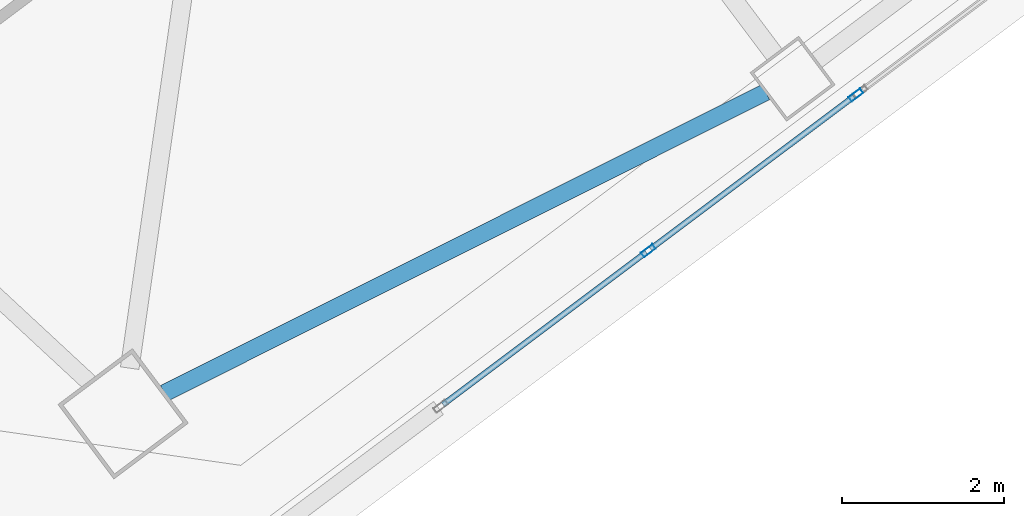
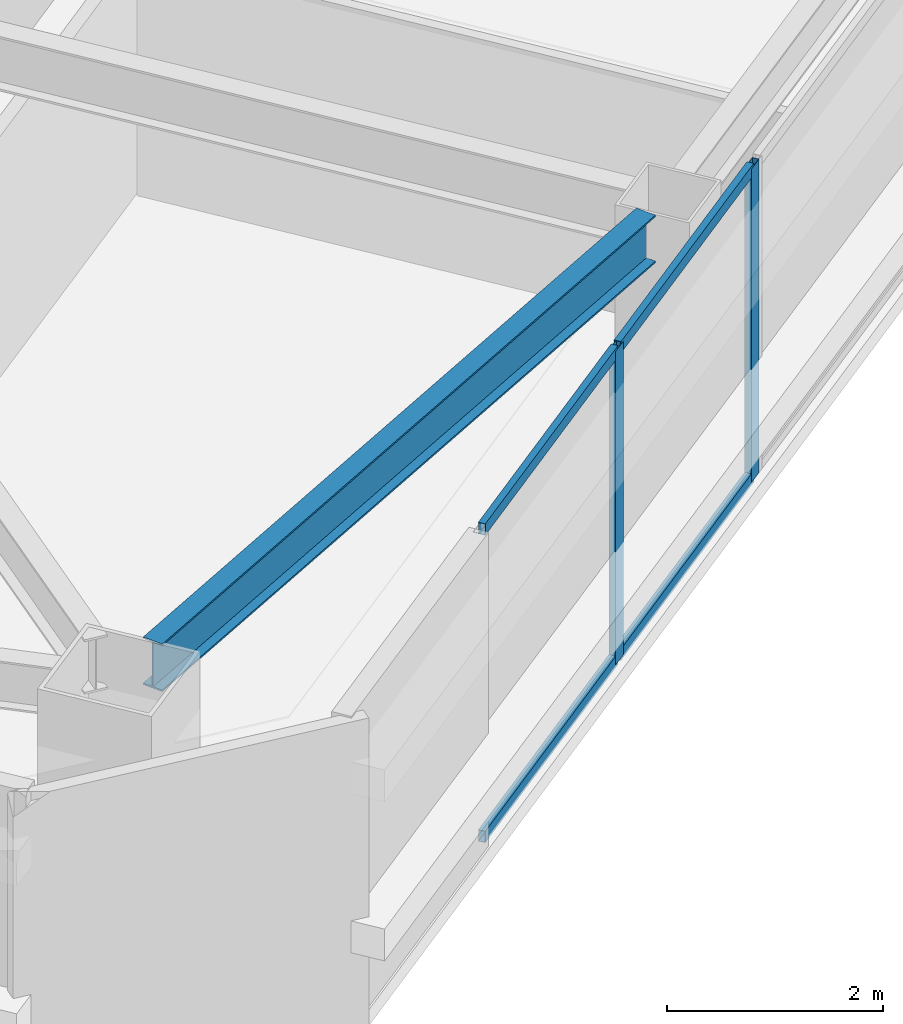
# One storey, part 19 of 43: 6 members, 1 beam, 1 element without a shape of its own.
"""IFC4 building model written with IfcOpenShell, lengths in metres."""

from ifc_helpers import new_model, si_unit, direction, frame, origin, origin_2d, place, context, subcontext, project, spatial, hollow_rectangle, i_section, extrude, material, material_profile, profile_set, type_object, element, aggregate, save


model = new_model("IFC4")

# Units and contexts
model_context = context("Model", 3, precision=1e-05, world=origin(), true_north=direction((0.0, 1.0)))
body_context = subcontext(model_context, "Body", "Model", "MODEL_VIEW")
ifc_project = project(units=[si_unit("LENGTHUNIT", "METRE"), si_unit("AREAUNIT", "SQUARE_METRE"), si_unit("VOLUMEUNIT", "CUBIC_METRE"), si_unit("PLANEANGLEUNIT", "RADIAN"), si_unit("MASSUNIT", "GRAM", prefix="KILO")], contexts=[model_context])

# Site, building, storey
site_placement = place(None, origin())
site = spatial("IfcSite", under=ifc_project, at=site_placement, CompositionType="ELEMENT")
building_placement = place(site_placement, origin())
building = spatial("IfcBuilding", under=site, at=building_placement, Name="Tashvorn Skyway Center", CompositionType="ELEMENT")
storey_placement = place(building_placement, frame((0.0, 0.0, 160.550048828125)))
storey = spatial("IfcBuildingStorey", under=building, at=storey_placement, Name="L43", CompositionType="ELEMENT", Elevation=160.550048828125)

# Beam
ifc_material_1 = material(Name="Steel ASTM A992 Grade 50", Category="steel")
ifc_material_profile_1 = material_profile(ifc_material_1, i_section(OverallWidth=0.2109375, OverallDepth=0.5390625, WebThickness=0.01171875, FlangeThickness=0.018798828125, at=origin_2d()), Name="W21X73")
ifc_profile_set_1 = profile_set([ifc_material_profile_1], Name="Steel ASTM A992 Grade 50")
beam_type = type_object("IfcBeamType", Name="BM-SPANDREL-W21X73", PredefinedType="SPANDREL", material=ifc_profile_set_1)
beam_placement = place(storey_placement, frame((111.609619140625, 11.955078125, 3.100341796875), z_axis=(0.894209637559, 0.447648438059, 0.0), x_axis=(-0.447648438059, 0.894209637559, 0.0)))
element("IfcBeam", 1, at=beam_placement, inside=storey, type_object=beam_type, Name="Tower 2 L43 Spandrel Beam 01", PredefinedType="SPANDREL", context=body_context, shape_type="SweptSolid", body=[
    extrude(i_section(OverallWidth=0.2109375, OverallDepth=0.5390625, WebThickness=0.01171875, FlangeThickness=0.018798828125, at=origin_2d()), origin(), (0.0, 0.0, 1.0), 8.308349609375),
])

# Curtain wall, members
ifc_material_2 = material(Name="Thermally broken bronze-anodized aluminium 6063-T6", Category="aluminium")
curtain_wall_type = type_object("IfcCurtainWallType", Name="CW-CW-Z4", PredefinedType="NOTDEFINED", material=ifc_material_2)
curtain_wall_placement = place(storey_placement, origin())
curtain_wall = element("IfcCurtainWall", 2, at=curtain_wall_placement, inside=storey, type_object=curtain_wall_type, Name="Tower 2 L43 South Unitised Curtain Wall Glazing Group 3", PredefinedType="NOTDEFINED")
ifc_material_profile_2 = material_profile(ifc_material_2, hollow_rectangle(XDim=0.070068359375, YDim=0.179931640625, WallThickness=0.00390625, at=origin_2d()), Name="ALU-MULL-70x180")
ifc_profile_set_2 = profile_set([ifc_material_profile_2], Name="Thermally broken bronze-anodized aluminium 6063-T6")
member_type_1 = type_object("IfcMemberType", Name="CWM-CW-Z4", PredefinedType="MULLION", material=ifc_profile_set_2)
member_1_placement = place(storey_placement, frame((120.152099609375, 15.638916015625, 0.0), z_axis=(0.0, 0.0, 1.0), x_axis=(0.600000000002, -0.799999999998, 0.0)))
member_1 = element("IfcMember", 3, at=member_1_placement, type_object=member_type_1, Name="CW-Z4 mullion 1", PredefinedType="MULLION", context=body_context, shape_type="SweptSolid", body=[
    extrude(hollow_rectangle(XDim=0.070068359375, YDim=0.179931640625, WallThickness=0.00390625, at=origin_2d()), origin(), (0.0, 0.0, 1.0), 3.550048828125),
])
member_2_placement = place(storey_placement, frame((117.587890625, 13.716064453125, 0.0), z_axis=(0.0, 0.0, 1.0), x_axis=(0.600000000002, -0.799999999998, 0.0)))
member_2 = element("IfcMember", 4, at=member_2_placement, type_object=member_type_1, Name="CW-Z4 mullion 2", PredefinedType="MULLION", context=body_context, shape_type="SweptSolid", body=[
    extrude(hollow_rectangle(XDim=0.070068359375, YDim=0.179931640625, WallThickness=0.00390625, at=origin_2d()), origin(), (0.0, 0.0, 1.0), 3.550048828125),
])
ifc_material_profile_3 = material_profile(ifc_material_2, hollow_rectangle(XDim=0.070068359375, YDim=0.1298828125, WallThickness=0.00390625, at=origin_2d()), Name="ALU-TRAN-70x130")
ifc_profile_set_3 = profile_set([ifc_material_profile_3], Name="Thermally broken bronze-anodized aluminium 6063-T6")
member_type_2 = type_object("IfcMemberType", Name="CWT-CW-Z4", PredefinedType="USERDEFINED", material=ifc_profile_set_3)
member_3_placement = place(storey_placement, frame((120.1240234375, 15.617919921875, 0.034912109375), z_axis=(-0.800028034763, -0.599962618496, 0.0), x_axis=(0.599962618496, -0.800028034763, 0.0)))
member_3 = element("IfcMember", 5, at=member_3_placement, type_object=member_type_2, Name="CW-Z4 transom 1.1", ObjectType="TRANSOM", PredefinedType="USERDEFINED", context=body_context, shape_type="SweptSolid", body=[
    extrude(hollow_rectangle(XDim=0.070068359375, YDim=0.1298828125, WallThickness=0.00390625, at=origin_2d()), origin(), (0.0, 0.0, 1.0), 3.135009765625),
])
member_4_placement = place(storey_placement, frame((120.1240234375, 15.617919921875, 3.514892578125), z_axis=(-0.800028034763, -0.599962618496, 0.0), x_axis=(0.599962618496, -0.800028034763, 0.0)))
member_4 = element("IfcMember", 6, at=member_4_placement, type_object=member_type_2, Name="CW-Z4 transom 1.2", ObjectType="TRANSOM", PredefinedType="USERDEFINED", context=body_context, shape_type="SweptSolid", body=[
    extrude(hollow_rectangle(XDim=0.070068359375, YDim=0.1298828125, WallThickness=0.00390625, at=origin_2d()), origin(), (0.0, 0.0, 1.0), 3.135009765625),
])
member_5_placement = place(storey_placement, frame((117.56005859375, 13.695068359375, 0.034912109375), z_axis=(-0.799990655127, -0.600012459628, 0.0), x_axis=(0.600012459628, -0.799990655127, 0.0)))
member_5 = element("IfcMember", 7, at=member_5_placement, type_object=member_type_2, Name="CW-Z4 transom 2.1", ObjectType="TRANSOM", PredefinedType="USERDEFINED", context=body_context, shape_type="SweptSolid", body=[
    extrude(hollow_rectangle(XDim=0.070068359375, YDim=0.1298828125, WallThickness=0.00390625, at=origin_2d()), origin(), (0.0, 0.0, 1.0), 3.135009765625),
])
member_6_placement = place(storey_placement, frame((117.56005859375, 13.695068359375, 3.514892578125), z_axis=(-0.799990655127, -0.600012459628, 0.0), x_axis=(0.600012459628, -0.799990655127, 0.0)))
member_6 = element("IfcMember", 8, at=member_6_placement, type_object=member_type_2, Name="CW-Z4 transom 2.2", ObjectType="TRANSOM", PredefinedType="USERDEFINED", context=body_context, shape_type="SweptSolid", body=[
    extrude(hollow_rectangle(XDim=0.070068359375, YDim=0.1298828125, WallThickness=0.00390625, at=origin_2d()), origin(), (0.0, 0.0, 1.0), 3.135009765625),
])
aggregate(curtain_wall, [member_1, member_2, member_3, member_4, member_5, member_6])

save(model, "model.ifc")
